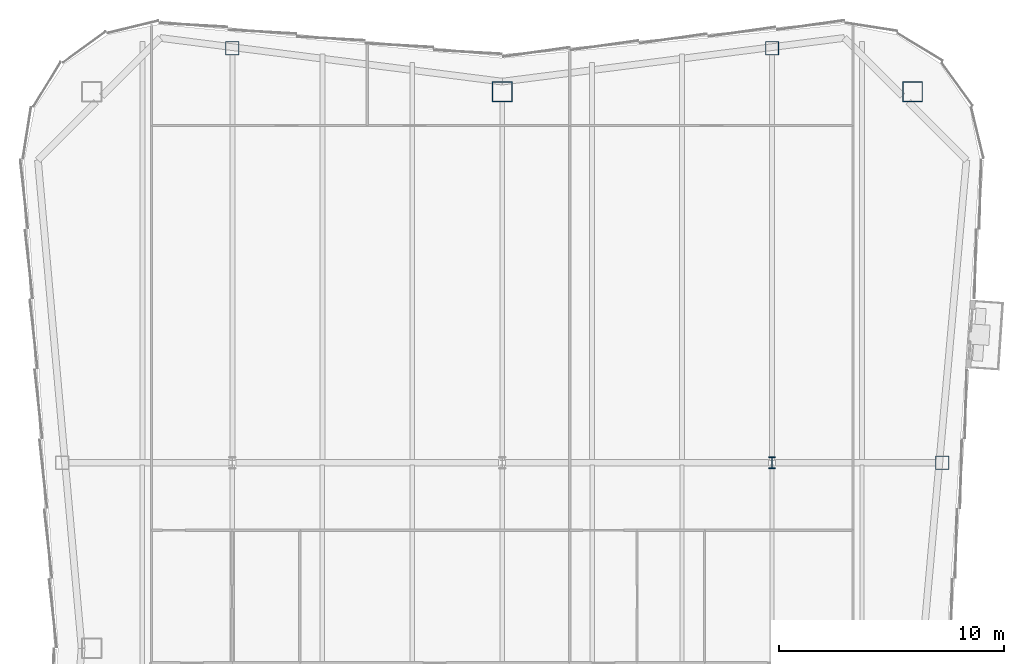
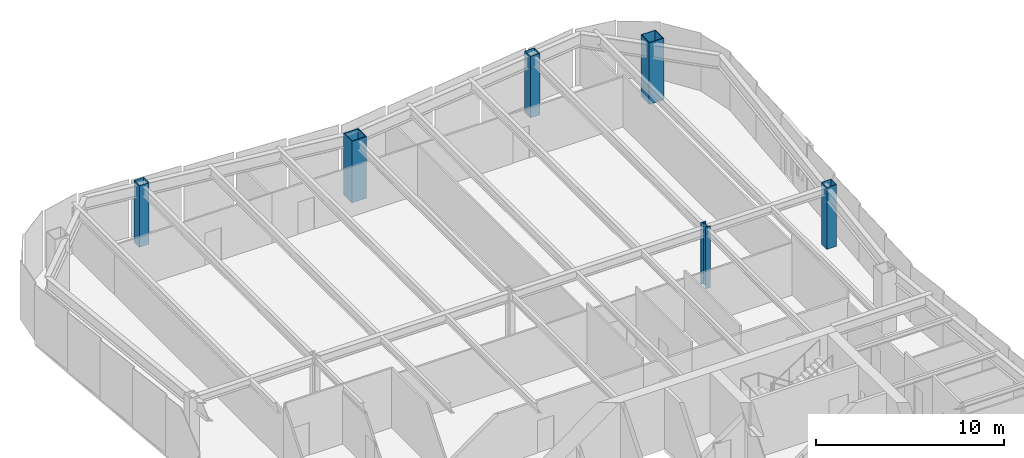
# One storey, part 2 of 11: 6 columns.
"""IFC4 building model written with IfcOpenShell, lengths in metres."""

from ifc_helpers import new_model, si_unit, direction, frame, origin, origin_2d, place, context, subcontext, project, spatial, hollow_rectangle, i_section, extrude, material, material_profile, profile_set, type_object, element, save


model = new_model("IFC4")

# Units and contexts
model_context = context("Model", 3, precision=1e-05, world=origin(), true_north=direction((0.0, 1.0)))
body_context = subcontext(model_context, "Body", "Model", "MODEL_VIEW")
ifc_project = project(units=[si_unit("LENGTHUNIT", "METRE"), si_unit("AREAUNIT", "SQUARE_METRE"), si_unit("VOLUMEUNIT", "CUBIC_METRE"), si_unit("PLANEANGLEUNIT", "RADIAN"), si_unit("MASSUNIT", "GRAM", prefix="KILO")], contexts=[model_context])

# Site, building, storey
site_placement = place(None, origin())
site = spatial("IfcSite", under=ifc_project, at=site_placement, CompositionType="ELEMENT")
building_placement = place(site_placement, origin())
building = spatial("IfcBuilding", under=site, at=building_placement, Name="Verdant Reach Tower", CompositionType="ELEMENT")
storey_placement = place(building_placement, frame((0.0, 0.0, 298.0)))
storey = spatial("IfcBuildingStorey", under=building, at=storey_placement, Name="L68", CompositionType="ELEMENT", Elevation=298.0)

# Columns
ifc_material = material(Name="Steel S460", Category="steel")
ifc_material_profile_1 = material_profile(ifc_material, i_section(OverallWidth=0.305908203125, OverallDepth=0.52392578125, WebThickness=0.012451171875, FlangeThickness=0.0400390625, FilletRadius=0.027099609375, at=origin_2d()), Name="HEM 500")
ifc_profile_set_1 = profile_set([ifc_material_profile_1], Name="Steel S460")
column_type_1 = type_object("IfcColumnType", Name="ST-COL-HEM500", PredefinedType="COLUMN", material=ifc_profile_set_1)
column_placement = place(storey_placement, frame((12.0, 49.5, 0.0), z_axis=(0.0, 0.0, 1.0), x_axis=(1.0, 0.0, 0.0)))
element("IfcColumn", 1, at=column_placement, inside=storey, type_object=column_type_1, Name="Interior column 3, L68", PredefinedType="COLUMN", context=body_context, shape_type="SweptSolid", body=[
    extrude(i_section(OverallWidth=0.305908203125, OverallDepth=0.52392578125, WebThickness=0.012451171875, FlangeThickness=0.0400390625, FilletRadius=0.027099609375, at=origin_2d()), origin(), (0.0, 0.0, 1.0), 4.0),
])
ifc_material_profile_2 = material_profile(ifc_material, hollow_rectangle(XDim=0.60009765625, YDim=0.60009765625, WallThickness=0.02490234375, at=origin_2d()), Name="WB 600x600x25")
ifc_profile_set_2 = profile_set([ifc_material_profile_2], Name="Steel S460")
column_type_2 = type_object("IfcColumnType", Name="ST-COL-WB600x600x25", PredefinedType="COLUMN", material=ifc_profile_set_2)
for number, where, z_axis, x_axis, name in (
    (2, (-12.0, 67.930419921875, 0.0), (0.0, 0.0, 1.0), (1.0, 0.0, 0.0), "Perimeter column north 1, L68"),
    (3, (12.0, 67.930419921875, 0.0), (0.0, 0.0, 1.0), (1.0, 0.0, 0.0), "Perimeter column north 2, L68"),
    (4, (19.569091796875, 49.5, 0.0), (0.0, 0.0, 1.0), (1.0, 0.0, 0.0), "Perimeter column east 2, L68"),
):
    element("IfcColumn", number, at=place(storey_placement, frame(where, z_axis=z_axis, x_axis=x_axis)), inside=storey, type_object=column_type_2, Name=name, PredefinedType="COLUMN", context=body_context, shape_type="SweptSolid", body=[
        extrude(hollow_rectangle(XDim=0.60009765625, YDim=0.60009765625, WallThickness=0.02490234375, at=origin_2d()), origin(), (0.0, 0.0, 1.0), 4.0),
    ])
ifc_material_profile_3 = material_profile(ifc_material, hollow_rectangle(XDim=0.89990234375, YDim=0.89990234375, WallThickness=0.0400390625, at=origin_2d()), Name="WB 900x900x40")
ifc_profile_set_3 = profile_set([ifc_material_profile_3], Name="Steel S460")
column_type_3 = type_object("IfcColumnType", Name="ST-COL-WB900x900x40", PredefinedType="COLUMN", material=ifc_profile_set_3)
for number, where, z_axis, x_axis, name in (
    (5, (0.0, 66.0, 0.0), (0.0, 0.0, 1.0), (1.0, 0.0, 0.0), "Mega column north, L68"),
    (6, (18.25, 66.0, 0.0), (0.0, 0.0, 1.0), (1.0, 0.0, 0.0), "Mega column north-east, L68"),
):
    element("IfcColumn", number, at=place(storey_placement, frame(where, z_axis=z_axis, x_axis=x_axis)), inside=storey, type_object=column_type_3, Name=name, PredefinedType="COLUMN", context=body_context, shape_type="SweptSolid", body=[
        extrude(hollow_rectangle(XDim=0.89990234375, YDim=0.89990234375, WallThickness=0.0400390625, at=origin_2d()), origin(), (0.0, 0.0, 1.0), 4.0),
    ])

save(model, "model.ifc")
